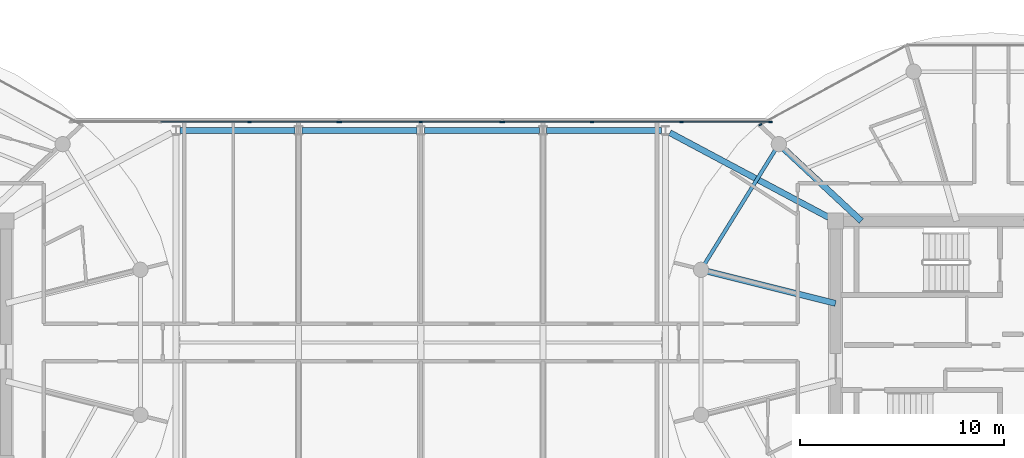
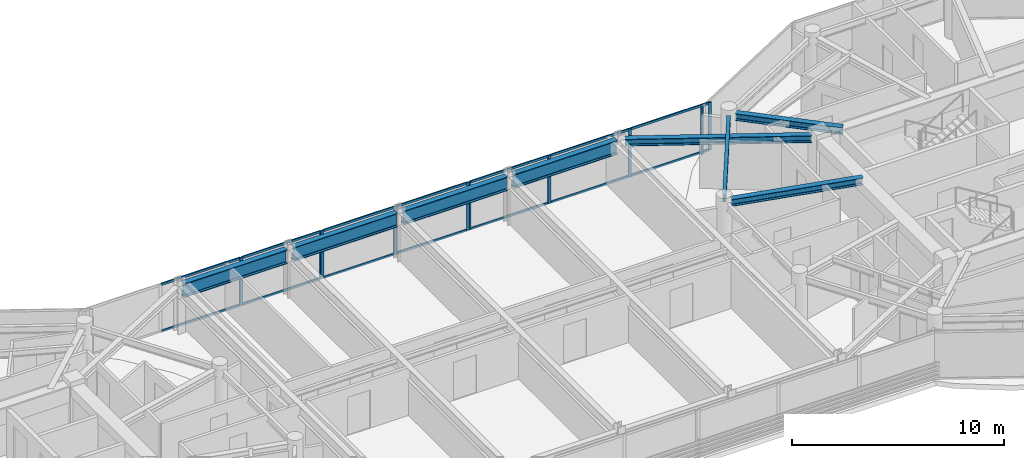
# One storey, part 8 of 24: 24 members, 8 beams, 4 elements without a shape of their own.
"""IFC4 building model written with IfcOpenShell, lengths in metres."""

from ifc_helpers import new_model, si_unit, direction, frame, origin, origin_2d, place, context, subcontext, project, spatial, rectangle, i_section, extrude, source, transform, mapped, material, layer, layer_set, material_profile, profile_set, type_object, type_shapes, element, aggregate, save


model = new_model("IFC4")

# Units and contexts
model_context = context("Model", 3, precision=1e-05, world=origin(), true_north=direction((0.0, 1.0)))
body_context = subcontext(model_context, "Body", "Model", "MODEL_VIEW")
ifc_project = project(units=[si_unit("LENGTHUNIT", "METRE"), si_unit("AREAUNIT", "SQUARE_METRE"), si_unit("VOLUMEUNIT", "CUBIC_METRE"), si_unit("PLANEANGLEUNIT", "RADIAN"), si_unit("MASSUNIT", "GRAM", prefix="KILO")], contexts=[model_context])

# Site, building, storey
site_placement = place(None, origin())
site = spatial("IfcSite", under=ifc_project, at=site_placement, CompositionType="ELEMENT")
building_placement = place(site_placement, origin())
building = spatial("IfcBuilding", under=site, at=building_placement, Name="Norrkilde Senior Care Towers", CompositionType="ELEMENT")
storey_placement = place(building_placement, frame((0.0, 0.0, 213.89990234375)))
storey = spatial("IfcBuildingStorey", under=building, at=storey_placement, Name="L66", CompositionType="ELEMENT", Elevation=213.89990234375)

# Beams
ifc_material_1 = material(Name="Steel S355", Category="steel")
ifc_material_profile_1 = material_profile(ifc_material_1, i_section(OverallWidth=0.179931640625, OverallDepth=0.39990234375, WebThickness=0.008544921875, FlangeThickness=0.013427734375, FilletRadius=0.02099609375, at=origin_2d()), Name="IPE 400")
ifc_profile_set_1 = profile_set([ifc_material_profile_1], Name="Steel S355")
beam_type_1 = type_object("IfcBeamType", Name="Perimeter Ring Spandrel Z4 IPE400", PredefinedType="SPANDREL", material=ifc_profile_set_1)
shared_shape_1 = source(origin(), body_context, "Body", "SweptSolid", [
    extrude(i_section(OverallWidth=0.179931640625, OverallDepth=0.39990234375, WebThickness=0.008544921875, FlangeThickness=0.013427734375, FilletRadius=0.02099609375, at=origin_2d()), origin(), (0.0, 0.0, 1.0), 6.58056640625),
])
type_shapes(beam_type_1, [shared_shape_1])
beam_1_placement = place(storey_placement, frame((17.393798828125, 9.43798828125, 2.56005859375), z_axis=(-0.526529583789, -0.850156807533, 0.0), x_axis=(0.850156807533, -0.526529583789, 0.0)))
element("IfcBeam", 1, at=beam_1_placement, inside=storey, type_object=beam_type_1, Name="L66 Drum E Perimeter Spandrel 05", PredefinedType="SPANDREL", context=body_context, shape_type="MappedRepresentation", body=[
    mapped(shared_shape_1, transform((0.0, 0.0, 0.0), x_axis=(1.0, 0.0, 0.0), y_axis=(0.0, 1.0, 0.0), z_axis=(0.0, 0.0, 1.0), scale=1.0)),
])
ifc_material_profile_2 = material_profile(ifc_material_1, i_section(OverallWidth=0.300048828125, OverallDepth=0.39990234375, WebThickness=0.013427734375, FlangeThickness=0.02392578125, FilletRadius=0.027099609375, at=origin_2d()), Name="HEB 400")
ifc_profile_set_2 = profile_set([ifc_material_profile_2], Name="Steel S355")
beam_type_2 = type_object("IfcBeamType", Name="Radial Floor Beam Z4 HEB400", PredefinedType="BEAM", material=ifc_profile_set_2)
shared_shape_2 = source(origin(), body_context, "Body", "SweptSolid", [
    extrude(i_section(OverallWidth=0.300048828125, OverallDepth=0.39990234375, WebThickness=0.013427734375, FlangeThickness=0.02392578125, FilletRadius=0.027099609375, at=origin_2d()), origin(), (0.0, 0.0, 1.0), 6.465087890625),
])
beam_2_placement = place(storey_placement, frame((20.35009765625, 1.910888671875, 2.56005859375), z_axis=(-0.970195788563, 0.242322371758, 0.0), x_axis=(-0.242322371758, -0.970195788563, 0.0)))
element("IfcBeam", 2, at=beam_2_placement, inside=storey, type_object=beam_type_2, Name="L66 Drum E Radial Floor Beam 06", PredefinedType="BEAM", context=body_context, shape_type="MappedRepresentation", body=[
    mapped(shared_shape_2, transform((0.0, 0.0, 0.0), x_axis=(1.0, 0.0, 0.0), y_axis=(0.0, 1.0, 0.0), z_axis=(0.0, 0.0, 1.0), scale=1.0)),
])
shared_shape_3 = source(origin(), body_context, "Body", "SweptSolid", [
    extrude(i_section(OverallWidth=0.300048828125, OverallDepth=0.39990234375, WebThickness=0.013427734375, FlangeThickness=0.02392578125, FilletRadius=0.027099609375, at=origin_2d()), origin(), (0.0, 0.0, 1.0), 5.197998046875),
])
beam_3_placement = place(storey_placement, frame((21.6171875, 5.949951171875, 2.56005859375), z_axis=(-0.731448749334, 0.681896419625, 0.0), x_axis=(-0.681896419625, -0.731448749334, 0.0)))
element("IfcBeam", 3, at=beam_3_placement, inside=storey, type_object=beam_type_2, Name="L66 Drum E Radial Floor Beam 05", PredefinedType="BEAM", context=body_context, shape_type="MappedRepresentation", body=[
    mapped(shared_shape_3, transform((0.0, 0.0, 0.0), x_axis=(1.0, 0.0, 0.0), y_axis=(0.0, 1.0, 0.0), z_axis=(0.0, 0.0, 1.0), scale=1.0)),
])
shared_shape_4 = source(origin(), body_context, "Body", "SweptSolid", [
    extrude(i_section(OverallWidth=0.300048828125, OverallDepth=0.39990234375, WebThickness=0.013427734375, FlangeThickness=0.02392578125, FilletRadius=0.027099609375, at=origin_2d()), origin(), (0.0, 0.0, 1.0), 8.831787109375),
])
type_shapes(beam_type_2, [shared_shape_2, shared_shape_3, shared_shape_4])
beam_4_placement = place(storey_placement, frame((12.220703125, 10.282470703125, 2.56005859375), z_axis=(0.882492172381, -0.470327083727, 0.0), x_axis=(0.470327083727, 0.882492172381, 0.0)))
element("IfcBeam", 4, at=beam_4_placement, inside=storey, type_object=beam_type_2, Name="L66 Sky-Gate Bridge Girder N6", PredefinedType="BEAM", context=body_context, shape_type="MappedRepresentation", body=[
    mapped(shared_shape_4, transform((0.0, 0.0, 0.0), x_axis=(1.0, 0.0, 0.0), y_axis=(0.0, 1.0, 0.0), z_axis=(0.0, 0.0, 1.0), scale=1.0)),
])
ifc_material_profile_3 = material_profile(ifc_material_1, i_section(OverallWidth=0.300048828125, OverallDepth=0.800048828125, WebThickness=0.017578125, FlangeThickness=0.032958984375, FilletRadius=0.030029296875, at=origin_2d()), Name="HEB 800")
ifc_profile_set_3 = profile_set([ifc_material_profile_3], Name="Steel S355")
beam_type_3 = type_object("IfcBeamType", Name="Bridge Floor Girder HEB800", PredefinedType="USERDEFINED", material=ifc_profile_set_3)
shared_shape_5 = source(origin(), body_context, "Body", "SweptSolid", [
    extrude(i_section(OverallWidth=0.300048828125, OverallDepth=0.800048828125, WebThickness=0.017578125, FlangeThickness=0.032958984375, FilletRadius=0.030029296875, at=origin_2d()), origin(), (0.0, 0.0, 1.0), 5.64013671875),
])
type_shapes(beam_type_3, [shared_shape_5])
for number, where, z_axis, x_axis, name in (
    (5, (-11.820068359375, 10.39990234375, 2.360107421875), (1.0, 0.0, 0.0), (0.0, 1.0, 0.0), "L66 Sky-Gate Bridge Girder N2"),
    (6, (-5.820068359375, 10.39990234375, 2.360107421875), (1.0, 0.0, 0.0), (0.0, 1.0, 0.0), "L66 Sky-Gate Bridge Girder N3"),
    (7, (0.179931640625, 10.39990234375, 2.360107421875), (1.0, 0.0, 0.0), (0.0, 1.0, 0.0), "L66 Sky-Gate Bridge Girder N4"),
    (8, (6.179931640625, 10.39990234375, 2.360107421875), (1.0, 0.0, 0.0), (0.0, 1.0, 0.0), "L66 Sky-Gate Bridge Girder N5"),
):
    element("IfcBeam", number, at=place(storey_placement, frame(where, z_axis=z_axis, x_axis=x_axis)), inside=storey, type_object=beam_type_3, Name=name, ObjectType="GIRDER", PredefinedType="USERDEFINED", context=body_context, shape_type="MappedRepresentation", body=[
        mapped(shared_shape_5, transform((0.0, 0.0, 0.0), x_axis=(1.0, 0.0, 0.0), y_axis=(0.0, 1.0, 0.0), z_axis=(0.0, 0.0, 1.0), scale=1.0)),
    ])

# Curtain wall, member
ifc_material_2 = material(Name="Triple Low-E Insulated Glazing", Category="glass")
ifc_layer_1 = layer(ifc_material_2, 0.18505859375)
ifc_layer_set_1 = layer_set([ifc_layer_1], Name="Triple Low-E Insulated Glazing")
curtain_wall_type_1 = type_object("IfcCurtainWallType", Name="CW6 Zone 4 Crown Pavilion Curtain Wall", PredefinedType="NOTDEFINED", material=ifc_layer_set_1)
curtain_wall_1_placement = place(storey_placement, origin())
curtain_wall_1 = element("IfcCurtainWall", 9, at=curtain_wall_1_placement, inside=storey, type_object=curtain_wall_type_1, Name="L66 Drum E Curtain Wall 03", PredefinedType="NOTDEFINED")
ifc_material_3 = material(Name="Anodised Aluminium", Category="aluminium")
ifc_material_profile_4 = material_profile(ifc_material_3, rectangle(XDim=0.06494140625, YDim=0.14990234375, at=origin_2d()), Name="ALU MULL 65x150")
ifc_profile_set_4 = profile_set([ifc_material_profile_4], Name="Anodised Aluminium")
member_type_1 = type_object("IfcMemberType", Name="Curtain Wall Mullion Z3-Z4 65x150", PredefinedType="MULLION", material=ifc_profile_set_4)
shared_shape_6 = source(origin(), body_context, "Body", "SweptSolid", [
    extrude(rectangle(XDim=0.06494140625, YDim=0.14990234375, at=origin_2d()), origin(), (0.0, 0.0, 1.0), 2.760009765625),
])
type_shapes(member_type_1, [shared_shape_6])
member_1_placement = place(storey_placement, frame((16.658203125, 10.6787109375, 0.0), z_axis=(0.0, 0.0, 1.0), x_axis=(-0.476132676136, 0.879373455772, 0.0)))
member_1 = element("IfcMember", 10, at=member_1_placement, type_object=member_type_1, Name="CW-6 mullion 1", PredefinedType="MULLION", context=body_context, shape_type="MappedRepresentation", body=[
    mapped(shared_shape_6, transform((0.0, 0.0, 0.0), x_axis=(1.0, 0.0, 0.0), y_axis=(0.0, 1.0, 0.0), z_axis=(0.0, 0.0, 1.0), scale=1.0)),
])
aggregate(curtain_wall_1, [member_1])

# Curtain wall, members
ifc_layer_2 = layer(ifc_material_2, 0.2099609375)
ifc_layer_set_2 = layer_set([ifc_layer_2], Name="Triple Low-E Insulated Glazing")
curtain_wall_type_2 = type_object("IfcCurtainWallType", Name="CW5 Sky-Gate Bridge Curtain Wall", PredefinedType="NOTDEFINED", material=ifc_layer_set_2)
curtain_wall_2_placement = place(storey_placement, origin())
curtain_wall_2 = element("IfcCurtainWall", 11, at=curtain_wall_2_placement, inside=storey, type_object=curtain_wall_type_2, Name="L66 Sky-Gate Bridge North Curtain Wall 1", PredefinedType="NOTDEFINED")
ifc_material_profile_5 = material_profile(ifc_material_3, rectangle(XDim=0.06494140625, YDim=0.1298828125, at=origin_2d()), Name="ALU TRAN 65x130")
ifc_profile_set_5 = profile_set([ifc_material_profile_5], Name="Anodised Aluminium")
member_type_2 = type_object("IfcMemberType", Name="Curtain Wall Transom Heavy 65x130", PredefinedType="USERDEFINED", material=ifc_profile_set_5)
shared_shape_7 = source(origin(), body_context, "Body", "SweptSolid", [
    extrude(rectangle(XDim=0.06494140625, YDim=0.1298828125, at=origin_2d()), origin(), (0.0, 0.0, 1.0), 4.294921875),
])
member_2_placement = place(storey_placement, frame((-8.364990234375, 10.820068359375, 0.03271484375), z_axis=(1.0, 0.0, 0.0), x_axis=(0.0, 1.0, 0.0)))
member_2 = element("IfcMember", 12, at=member_2_placement, type_object=member_type_2, Name="CW-5 transom 3.1", ObjectType="TRANSOM", PredefinedType="USERDEFINED", context=body_context, shape_type="MappedRepresentation", body=[
    mapped(shared_shape_7, transform((0.0, 0.0, 0.0), x_axis=(1.0, 0.0, 0.0), y_axis=(0.0, 1.0, 0.0), z_axis=(0.0, 0.0, 1.0), scale=1.0)),
])
member_3_placement = place(storey_placement, frame((-8.364990234375, 10.820068359375, 2.7275390625), z_axis=(1.0, 0.0, 0.0), x_axis=(0.0, 1.0, 0.0)))
member_3 = element("IfcMember", 13, at=member_3_placement, type_object=member_type_2, Name="CW-5 transom 3.2", ObjectType="TRANSOM", PredefinedType="USERDEFINED", context=body_context, shape_type="MappedRepresentation", body=[
    mapped(shared_shape_7, transform((0.0, 0.0, 0.0), x_axis=(1.0, 0.0, 0.0), y_axis=(0.0, 1.0, 0.0), z_axis=(0.0, 0.0, 1.0), scale=1.0)),
])

curtain_wall_3_placement = place(storey_placement, origin())
curtain_wall_3 = element("IfcCurtainWall", 14, at=curtain_wall_3_placement, inside=storey, type_object=curtain_wall_type_2, Name="L66 Sky-Gate Bridge North Curtain Wall 3", PredefinedType="NOTDEFINED")
member_4_placement = place(storey_placement, frame((4.070068359375, 10.820068359375, 0.03271484375), z_axis=(1.0, 0.0, 0.0), x_axis=(0.0, 1.0, 0.0)))
member_4 = element("IfcMember", 15, at=member_4_placement, type_object=member_type_2, Name="CW-5 transom 1.1", ObjectType="TRANSOM", PredefinedType="USERDEFINED", context=body_context, shape_type="MappedRepresentation", body=[
    mapped(shared_shape_7, transform((0.0, 0.0, 0.0), x_axis=(1.0, 0.0, 0.0), y_axis=(0.0, 1.0, 0.0), z_axis=(0.0, 0.0, 1.0), scale=1.0)),
])
member_5_placement = place(storey_placement, frame((4.070068359375, 10.820068359375, 2.7275390625), z_axis=(1.0, 0.0, 0.0), x_axis=(0.0, 1.0, 0.0)))
member_5 = element("IfcMember", 16, at=member_5_placement, type_object=member_type_2, Name="CW-5 transom 1.2", ObjectType="TRANSOM", PredefinedType="USERDEFINED", context=body_context, shape_type="MappedRepresentation", body=[
    mapped(shared_shape_7, transform((0.0, 0.0, 0.0), x_axis=(1.0, 0.0, 0.0), y_axis=(0.0, 1.0, 0.0), z_axis=(0.0, 0.0, 1.0), scale=1.0)),
])
member_6_placement = place(storey_placement, frame((12.8349609375, 10.820068359375, 0.03271484375), z_axis=(1.0, 0.0, 0.0), x_axis=(0.0, 1.0, 0.0)))
member_6 = element("IfcMember", 17, at=member_6_placement, type_object=member_type_2, Name="CW-5 transom 3.1", ObjectType="TRANSOM", PredefinedType="USERDEFINED", context=body_context, shape_type="MappedRepresentation", body=[
    mapped(shared_shape_7, transform((0.0, 0.0, 0.0), x_axis=(1.0, 0.0, 0.0), y_axis=(0.0, 1.0, 0.0), z_axis=(0.0, 0.0, 1.0), scale=1.0)),
])
member_7_placement = place(storey_placement, frame((12.8349609375, 10.820068359375, 2.7275390625), z_axis=(1.0, 0.0, 0.0), x_axis=(0.0, 1.0, 0.0)))
member_7 = element("IfcMember", 18, at=member_7_placement, type_object=member_type_2, Name="CW-5 transom 3.2", ObjectType="TRANSOM", PredefinedType="USERDEFINED", context=body_context, shape_type="MappedRepresentation", body=[
    mapped(shared_shape_7, transform((0.0, 0.0, 0.0), x_axis=(1.0, 0.0, 0.0), y_axis=(0.0, 1.0, 0.0), z_axis=(0.0, 0.0, 1.0), scale=1.0)),
])

# Member
shared_shape_8 = source(origin(), body_context, "Body", "SweptSolid", [
    extrude(rectangle(XDim=0.06494140625, YDim=0.1298828125, at=origin_2d()), origin(), (0.0, 0.0, 1.0), 4.329833984375),
])
member_8_placement = place(storey_placement, frame((-12.764892578125, 10.820068359375, 0.03271484375), z_axis=(1.0, 0.0, 0.0), x_axis=(0.0, 1.0, 0.0)))
member_8 = element("IfcMember", 19, at=member_8_placement, type_object=member_type_2, Name="CW-5 transom 2.1", ObjectType="TRANSOM", PredefinedType="USERDEFINED", context=body_context, shape_type="MappedRepresentation", body=[
    mapped(shared_shape_8, transform((0.0, 0.0, 0.0), x_axis=(1.0, 0.0, 0.0), y_axis=(0.0, 1.0, 0.0), z_axis=(0.0, 0.0, 1.0), scale=1.0)),
])

member_9_placement = place(storey_placement, frame((-12.764892578125, 10.820068359375, 2.7275390625), z_axis=(1.0, 0.0, 0.0), x_axis=(0.0, 1.0, 0.0)))
member_9 = element("IfcMember", 20, at=member_9_placement, type_object=member_type_2, Name="CW-5 transom 2.2", ObjectType="TRANSOM", PredefinedType="USERDEFINED", context=body_context, shape_type="MappedRepresentation", body=[
    mapped(shared_shape_8, transform((0.0, 0.0, 0.0), x_axis=(1.0, 0.0, 0.0), y_axis=(0.0, 1.0, 0.0), z_axis=(0.0, 0.0, 1.0), scale=1.0)),
])

member_10_placement = place(storey_placement, frame((8.43505859375, 10.820068359375, 0.03271484375), z_axis=(1.0, 0.0, 0.0), x_axis=(0.0, 1.0, 0.0)))
member_10 = element("IfcMember", 21, at=member_10_placement, type_object=member_type_2, Name="CW-5 transom 2.1", ObjectType="TRANSOM", PredefinedType="USERDEFINED", context=body_context, shape_type="MappedRepresentation", body=[
    mapped(shared_shape_8, transform((0.0, 0.0, 0.0), x_axis=(1.0, 0.0, 0.0), y_axis=(0.0, 1.0, 0.0), z_axis=(0.0, 0.0, 1.0), scale=1.0)),
])

member_11_placement = place(storey_placement, frame((8.43505859375, 10.820068359375, 2.7275390625), z_axis=(1.0, 0.0, 0.0), x_axis=(0.0, 1.0, 0.0)))
member_11 = element("IfcMember", 22, at=member_11_placement, type_object=member_type_2, Name="CW-5 transom 2.2", ObjectType="TRANSOM", PredefinedType="USERDEFINED", context=body_context, shape_type="MappedRepresentation", body=[
    mapped(shared_shape_8, transform((0.0, 0.0, 0.0), x_axis=(1.0, 0.0, 0.0), y_axis=(0.0, 1.0, 0.0), z_axis=(0.0, 0.0, 1.0), scale=1.0)),
])

# Curtain wall, members
curtain_wall_4_placement = place(storey_placement, origin())
curtain_wall_4 = element("IfcCurtainWall", 23, at=curtain_wall_4_placement, inside=storey, type_object=curtain_wall_type_2, Name="L66 Sky-Gate Bridge North Curtain Wall 2", PredefinedType="NOTDEFINED")
shared_shape_9 = source(origin(), body_context, "Body", "SweptSolid", [
    extrude(rectangle(XDim=0.06494140625, YDim=0.1298828125, at=origin_2d()), origin(), (0.0, 0.0, 1.0), 3.89501953125),
])
type_shapes(member_type_2, [shared_shape_7, shared_shape_8, shared_shape_9])
member_12_placement = place(storey_placement, frame((-3.929931640625, 10.820068359375, 0.03271484375), z_axis=(1.0, 0.0, 0.0), x_axis=(0.0, 1.0, 0.0)))
member_12 = element("IfcMember", 24, at=member_12_placement, type_object=member_type_2, Name="CW-5 transom 1.1", ObjectType="TRANSOM", PredefinedType="USERDEFINED", context=body_context, shape_type="MappedRepresentation", body=[
    mapped(shared_shape_9, transform((0.0, 0.0, 0.0), x_axis=(1.0, 0.0, 0.0), y_axis=(0.0, 1.0, 0.0), z_axis=(0.0, 0.0, 1.0), scale=1.0)),
])
member_13_placement = place(storey_placement, frame((-3.929931640625, 10.820068359375, 2.7275390625), z_axis=(1.0, 0.0, 0.0), x_axis=(0.0, 1.0, 0.0)))
member_13 = element("IfcMember", 25, at=member_13_placement, type_object=member_type_2, Name="CW-5 transom 1.2", ObjectType="TRANSOM", PredefinedType="USERDEFINED", context=body_context, shape_type="MappedRepresentation", body=[
    mapped(shared_shape_9, transform((0.0, 0.0, 0.0), x_axis=(1.0, 0.0, 0.0), y_axis=(0.0, 1.0, 0.0), z_axis=(0.0, 0.0, 1.0), scale=1.0)),
])
member_14_placement = place(storey_placement, frame((0.034912109375, 10.820068359375, 0.03271484375), z_axis=(1.0, 0.0, 0.0), x_axis=(0.0, 1.0, 0.0)))
member_14 = element("IfcMember", 26, at=member_14_placement, type_object=member_type_2, Name="CW-5 transom 2.1", ObjectType="TRANSOM", PredefinedType="USERDEFINED", context=body_context, shape_type="MappedRepresentation", body=[
    mapped(shared_shape_9, transform((0.0, 0.0, 0.0), x_axis=(1.0, 0.0, 0.0), y_axis=(0.0, 1.0, 0.0), z_axis=(0.0, 0.0, 1.0), scale=1.0)),
])
member_15_placement = place(storey_placement, frame((0.034912109375, 10.820068359375, 2.7275390625), z_axis=(1.0, 0.0, 0.0), x_axis=(0.0, 1.0, 0.0)))
member_15 = element("IfcMember", 27, at=member_15_placement, type_object=member_type_2, Name="CW-5 transom 2.2", ObjectType="TRANSOM", PredefinedType="USERDEFINED", context=body_context, shape_type="MappedRepresentation", body=[
    mapped(shared_shape_9, transform((0.0, 0.0, 0.0), x_axis=(1.0, 0.0, 0.0), y_axis=(0.0, 1.0, 0.0), z_axis=(0.0, 0.0, 1.0), scale=1.0)),
])

# Member
ifc_material_profile_6 = material_profile(ifc_material_3, rectangle(XDim=0.070068359375, YDim=0.169921875, at=origin_2d()), Name="ALU MULL 70x170")
ifc_profile_set_6 = profile_set([ifc_material_profile_6], Name="Anodised Aluminium")
member_type_3 = type_object("IfcMemberType", Name="Curtain Wall Mullion Heavy 70x170", PredefinedType="MULLION", material=ifc_profile_set_6)
shared_shape_10 = source(origin(), body_context, "Body", "SweptSolid", [
    extrude(rectangle(XDim=0.070068359375, YDim=0.169921875, at=origin_2d()), origin(), (0.0, 0.0, 1.0), 2.760009765625),
])
type_shapes(member_type_3, [shared_shape_10])
member_16_placement = place(storey_placement, frame((-8.39990234375, 10.820068359375, 0.0), z_axis=(0.0, 0.0, 1.0), x_axis=(0.0, 1.0, 0.0)))
member_16 = element("IfcMember", 28, at=member_16_placement, type_object=member_type_3, Name="CW-5 mullion 3", PredefinedType="MULLION", context=body_context, shape_type="MappedRepresentation", body=[
    mapped(shared_shape_10, transform((0.0, 0.0, 0.0), x_axis=(1.0, 0.0, 0.0), y_axis=(0.0, 1.0, 0.0), z_axis=(0.0, 0.0, 1.0), scale=1.0)),
])

member_17_placement = place(storey_placement, frame((-4.034912109375, 10.820068359375, 0.0), z_axis=(0.0, 0.0, 1.0), x_axis=(0.0, 1.0, 0.0)))
member_17 = element("IfcMember", 29, at=member_17_placement, type_object=member_type_3, Name="CW-5 mullion 4", PredefinedType="MULLION", context=body_context, shape_type="MappedRepresentation", body=[
    mapped(shared_shape_10, transform((0.0, 0.0, 0.0), x_axis=(1.0, 0.0, 0.0), y_axis=(0.0, 1.0, 0.0), z_axis=(0.0, 0.0, 1.0), scale=1.0)),
])

aggregate(curtain_wall_2, [member_16, member_17, member_8, member_9, member_2, member_3])

member_18_placement = place(storey_placement, frame((-3.965087890625, 10.820068359375, 0.0), z_axis=(0.0, 0.0, 1.0), x_axis=(0.0, 1.0, 0.0)))
member_18 = element("IfcMember", 30, at=member_18_placement, type_object=member_type_3, Name="CW-5 mullion 1", PredefinedType="MULLION", context=body_context, shape_type="MappedRepresentation", body=[
    mapped(shared_shape_10, transform((0.0, 0.0, 0.0), x_axis=(1.0, 0.0, 0.0), y_axis=(0.0, 1.0, 0.0), z_axis=(0.0, 0.0, 1.0), scale=1.0)),
])

member_19_placement = place(storey_placement, frame((0.0, 10.820068359375, 0.0), z_axis=(0.0, 0.0, 1.0), x_axis=(0.0, 1.0, 0.0)))
member_19 = element("IfcMember", 31, at=member_19_placement, type_object=member_type_3, Name="CW-5 mullion 2", PredefinedType="MULLION", context=body_context, shape_type="MappedRepresentation", body=[
    mapped(shared_shape_10, transform((0.0, 0.0, 0.0), x_axis=(1.0, 0.0, 0.0), y_axis=(0.0, 1.0, 0.0), z_axis=(0.0, 0.0, 1.0), scale=1.0)),
])

member_20_placement = place(storey_placement, frame((3.965087890625, 10.820068359375, 0.0), z_axis=(0.0, 0.0, 1.0), x_axis=(0.0, 1.0, 0.0)))
member_20 = element("IfcMember", 32, at=member_20_placement, type_object=member_type_3, Name="CW-5 mullion 3", PredefinedType="MULLION", context=body_context, shape_type="MappedRepresentation", body=[
    mapped(shared_shape_10, transform((0.0, 0.0, 0.0), x_axis=(1.0, 0.0, 0.0), y_axis=(0.0, 1.0, 0.0), z_axis=(0.0, 0.0, 1.0), scale=1.0)),
])

aggregate(curtain_wall_4, [member_18, member_19, member_20, member_12, member_13, member_14, member_15])

member_21_placement = place(storey_placement, frame((4.034912109375, 10.820068359375, 0.0), z_axis=(0.0, 0.0, 1.0), x_axis=(0.0, 1.0, 0.0)))
member_21 = element("IfcMember", 33, at=member_21_placement, type_object=member_type_3, Name="CW-5 mullion 1", PredefinedType="MULLION", context=body_context, shape_type="MappedRepresentation", body=[
    mapped(shared_shape_10, transform((0.0, 0.0, 0.0), x_axis=(1.0, 0.0, 0.0), y_axis=(0.0, 1.0, 0.0), z_axis=(0.0, 0.0, 1.0), scale=1.0)),
])

member_22_placement = place(storey_placement, frame((8.39990234375, 10.820068359375, 0.0), z_axis=(0.0, 0.0, 1.0), x_axis=(0.0, 1.0, 0.0)))
member_22 = element("IfcMember", 34, at=member_22_placement, type_object=member_type_3, Name="CW-5 mullion 2", PredefinedType="MULLION", context=body_context, shape_type="MappedRepresentation", body=[
    mapped(shared_shape_10, transform((0.0, 0.0, 0.0), x_axis=(1.0, 0.0, 0.0), y_axis=(0.0, 1.0, 0.0), z_axis=(0.0, 0.0, 1.0), scale=1.0)),
])

member_23_placement = place(storey_placement, frame((12.800048828125, 10.820068359375, 0.0), z_axis=(0.0, 0.0, 1.0), x_axis=(0.0, 1.0, 0.0)))
member_23 = element("IfcMember", 35, at=member_23_placement, type_object=member_type_3, Name="CW-5 mullion 3", PredefinedType="MULLION", context=body_context, shape_type="MappedRepresentation", body=[
    mapped(shared_shape_10, transform((0.0, 0.0, 0.0), x_axis=(1.0, 0.0, 0.0), y_axis=(0.0, 1.0, 0.0), z_axis=(0.0, 0.0, 1.0), scale=1.0)),
])

member_24_placement = place(storey_placement, frame((17.1650390625, 10.820068359375, 0.0), z_axis=(0.0, 0.0, 1.0), x_axis=(0.0, 1.0, 0.0)))
member_24 = element("IfcMember", 36, at=member_24_placement, type_object=member_type_3, Name="CW-5 mullion 4", PredefinedType="MULLION", context=body_context, shape_type="MappedRepresentation", body=[
    mapped(shared_shape_10, transform((0.0, 0.0, 0.0), x_axis=(1.0, 0.0, 0.0), y_axis=(0.0, 1.0, 0.0), z_axis=(0.0, 0.0, 1.0), scale=1.0)),
])

aggregate(curtain_wall_3, [member_21, member_22, member_23, member_24, member_4, member_5, member_10, member_11, member_6, member_7])

save(model, "model.ifc")
